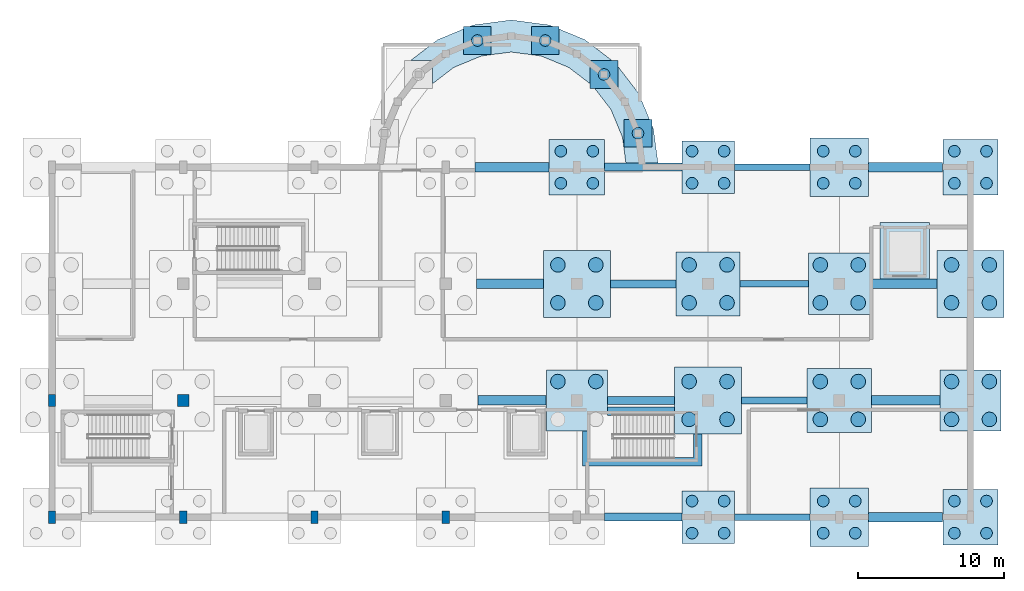
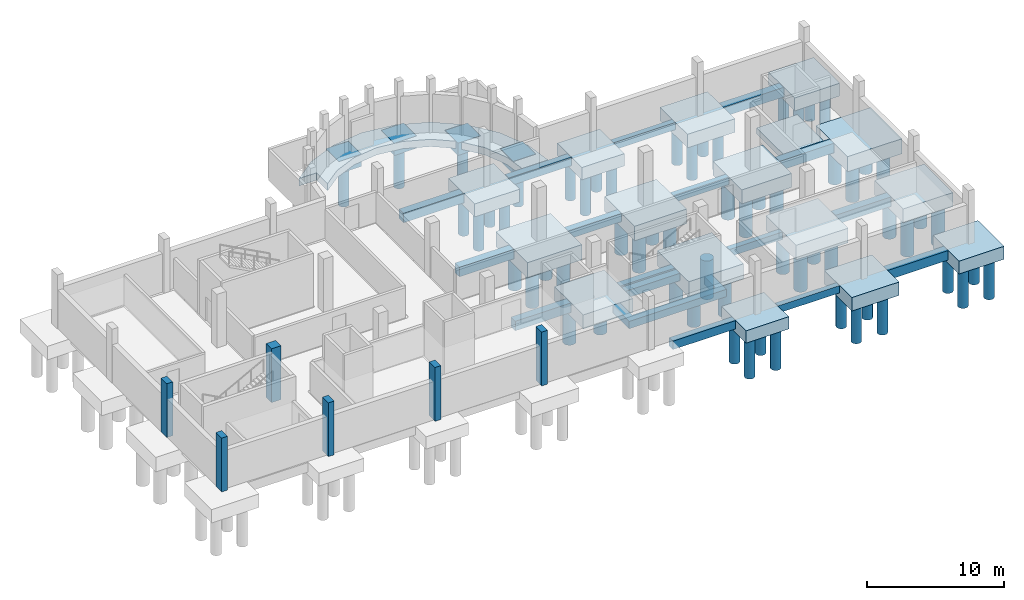
# One storey, part 2 of 10: 62 piles, 39 footings, 6 columns.
"""IFC4 building model written with IfcOpenShell, lengths in metres."""

from ifc_helpers import new_model, si_unit, direction, frame, origin, origin_2d, place, context, subcontext, project, spatial, polyline, rectangle, circle, outline, extrude, material, material_profile, profile_set, type_object, element, save


model = new_model("IFC4")

# Units and contexts
model_context = context("Model", 3, precision=1e-05, world=origin(), true_north=direction((0.0, 1.0)))
body_context = subcontext(model_context, "Body", "Model", "MODEL_VIEW")
ifc_project = project(units=[si_unit("LENGTHUNIT", "METRE"), si_unit("AREAUNIT", "SQUARE_METRE"), si_unit("VOLUMEUNIT", "CUBIC_METRE"), si_unit("PLANEANGLEUNIT", "RADIAN"), si_unit("MASSUNIT", "GRAM", prefix="KILO")], contexts=[model_context])

# Site, building, storey
site_placement = place(None, origin())
site = spatial("IfcSite", under=ifc_project, at=site_placement, CompositionType="ELEMENT")
building_placement = place(site_placement, origin())
building = spatial("IfcBuilding", under=site, at=building_placement, Name="Serraforn Aerial Cableway Station", CompositionType="ELEMENT")
storey_placement = place(building_placement, frame((0.0, 0.0, -4.800048828125)))
storey = spatial("IfcBuildingStorey", under=building, at=storey_placement, Name="B1", CompositionType="ELEMENT", Elevation=-4.800048828125)

# Footings
ifc_material_1 = material(Name="Concrete C35/45", Category="concrete")
footing_type_1 = type_object("IfcFootingType", Name="FT-FB-450x650", PredefinedType="FOOTING_BEAM", material=ifc_material_1)
footing_1_placement = place(storey_placement, frame((0.0, 0.0, -0.64990234375)))
element("IfcFooting", 1, at=footing_1_placement, inside=storey, type_object=footing_type_1, Name="Footing Tie Beam CV Y=18.0 #6", PredefinedType="FOOTING_BEAM", context=body_context, shape_type="SweptSolid", body=[
    extrude(outline(polyline([(79.594970703125, 18.22509765625), (79.594970703125, 17.77490234375), (74.405029296875, 17.77490234375), (74.405029296875, 18.22509765625), (79.594970703125, 18.22509765625)])), origin(), (0.0, 0.0, 1.0), 0.64990234375),
])
footing_2_placement = place(storey_placement, frame((0.0, 0.0, -0.64990234375)))
element("IfcFooting", 2, at=footing_2_placement, inside=storey, type_object=footing_type_1, Name="Footing Tie Beam CV Y=26.0 #6", PredefinedType="FOOTING_BEAM", context=body_context, shape_type="SweptSolid", body=[
    extrude(outline(polyline([(79.39501953125, 26.22509765625), (79.39501953125, 25.77490234375), (74.905029296875, 25.77490234375), (74.905029296875, 26.22509765625), (79.39501953125, 26.22509765625)])), origin(), (0.0, 0.0, 1.0), 0.64990234375),
])
footing_3_placement = place(storey_placement, frame((0.0, 0.0, -0.64990234375)))
element("IfcFooting", 3, at=footing_3_placement, inside=storey, type_object=footing_type_1, Name="Footing Tie Beam CV Y=34.0 #6", PredefinedType="FOOTING_BEAM", context=body_context, shape_type="SweptSolid", body=[
    extrude(outline(polyline([(79.4951171875, 34.22509765625), (79.4951171875, 33.77490234375), (74.804931640625, 33.77490234375), (74.804931640625, 34.22509765625), (79.4951171875, 34.22509765625)])), origin(), (0.0, 0.0, 1.0), 0.64990234375),
])
footing_4_placement = place(storey_placement, frame((0.0, 0.0, -0.64990234375)))
element("IfcFooting", 4, at=footing_4_placement, inside=storey, type_object=footing_type_1, Name="Footing Tie Beam CV Y=42.0 #6", PredefinedType="FOOTING_BEAM", context=body_context, shape_type="SweptSolid", body=[
    extrude(outline(polyline([(79.594970703125, 42.22509765625), (79.594970703125, 41.77490234375), (74.405029296875, 41.77490234375), (74.405029296875, 42.22509765625), (79.594970703125, 42.22509765625)])), origin(), (0.0, 0.0, 1.0), 0.64990234375),
])
footing_type_2 = type_object("IfcFootingType", Name="FT-FB-550x750", PredefinedType="FOOTING_BEAM", material=ifc_material_1)
footing_5_placement = place(storey_placement, frame((0.0, 0.0, -0.75)))
element("IfcFooting", 5, at=footing_5_placement, inside=storey, type_object=footing_type_2, Name="Footing Tie Beam CV Y=18.0 #5", PredefinedType="FOOTING_BEAM", context=body_context, shape_type="SweptSolid", body=[
    extrude(outline(polyline([(70.794921875, 18.27490234375), (70.794921875, 17.72509765625), (65.5048828125, 17.72509765625), (65.5048828125, 18.27490234375), (70.794921875, 18.27490234375)])), origin(), (0.0, 0.0, 1.0), 0.75),
])
footing_6_placement = place(storey_placement, frame((0.0, 0.0, -0.75)))
element("IfcFooting", 6, at=footing_6_placement, inside=storey, type_object=footing_type_2, Name="Footing Tie Beam CV Y=26.0 #5", PredefinedType="FOOTING_BEAM", context=body_context, shape_type="SweptSolid", body=[
    extrude(outline(polyline([(70.294921875, 26.27490234375), (70.294921875, 25.72509765625), (65.705078125, 25.72509765625), (65.705078125, 26.27490234375), (70.294921875, 26.27490234375)])), origin(), (0.0, 0.0, 1.0), 0.75),
])
footing_7_placement = place(storey_placement, frame((0.0, 0.0, -0.75)))
element("IfcFooting", 7, at=footing_7_placement, inside=storey, type_object=footing_type_2, Name="Footing Tie Beam CV Y=34.0 #5", PredefinedType="FOOTING_BEAM", context=body_context, shape_type="SweptSolid", body=[
    extrude(outline(polyline([(70.39501953125, 34.27490234375), (70.39501953125, 33.72509765625), (65.905029296875, 33.72509765625), (65.905029296875, 34.27490234375), (70.39501953125, 34.27490234375)])), origin(), (0.0, 0.0, 1.0), 0.75),
])
footing_8_placement = place(storey_placement, frame((0.0, 0.0, -0.75)))
element("IfcFooting", 8, at=footing_8_placement, inside=storey, type_object=footing_type_2, Name="Footing Tie Beam CV Y=42.0 #5", PredefinedType="FOOTING_BEAM", context=body_context, shape_type="SweptSolid", body=[
    extrude(outline(polyline([(70.794921875, 42.27490234375), (70.794921875, 41.72509765625), (65.5048828125, 41.72509765625), (65.5048828125, 42.27490234375), (70.794921875, 42.27490234375)])), origin(), (0.0, 0.0, 1.0), 0.75),
])
footing_type_3 = type_object("IfcFootingType", Name="FT-FB-650x850", PredefinedType="FOOTING_BEAM", material=ifc_material_1)
footing_9_placement = place(storey_placement, frame((0.0, 0.0, -0.849853515625)))
element("IfcFooting", 9, at=footing_9_placement, inside=storey, type_object=footing_type_3, Name="Footing Tie Beam CV Y=18.0 #7", PredefinedType="FOOTING_BEAM", context=body_context, shape_type="SweptSolid", body=[
    extrude(outline(polyline([(88.695068359375, 18.324951171875), (88.695068359375, 17.675048828125), (83.60498046875, 17.675048828125), (83.60498046875, 18.324951171875), (88.695068359375, 18.324951171875)])), origin(), (0.0, 0.0, 1.0), 0.849853515625),
])
footing_10_placement = place(storey_placement, frame((0.0, 0.0, -0.849853515625)))
element("IfcFooting", 10, at=footing_10_placement, inside=storey, type_object=footing_type_3, Name="Footing Tie Beam CV Y=26.0 #4", PredefinedType="FOOTING_BEAM", context=body_context, shape_type="SweptSolid", body=[
    extrude(outline(polyline([(61.4951171875, 26.324951171875), (61.4951171875, 25.675048828125), (56.804931640625, 25.675048828125), (56.804931640625, 26.324951171875), (61.4951171875, 26.324951171875)])), origin(), (0.0, 0.0, 1.0), 0.849853515625),
])
footing_11_placement = place(storey_placement, frame((0.0, 0.0, -0.849853515625)))
element("IfcFooting", 11, at=footing_11_placement, inside=storey, type_object=footing_type_3, Name="Footing Tie Beam CV Y=26.0 #7", PredefinedType="FOOTING_BEAM", context=body_context, shape_type="SweptSolid", body=[
    extrude(outline(polyline([(88.4951171875, 26.324951171875), (88.4951171875, 25.675048828125), (83.804931640625, 25.675048828125), (83.804931640625, 26.324951171875), (88.4951171875, 26.324951171875)])), origin(), (0.0, 0.0, 1.0), 0.849853515625),
])
footing_12_placement = place(storey_placement, frame((0.0, 0.0, -0.849853515625)))
element("IfcFooting", 12, at=footing_12_placement, inside=storey, type_object=footing_type_3, Name="Footing Tie Beam CV Y=34.0 #4", PredefinedType="FOOTING_BEAM", context=body_context, shape_type="SweptSolid", body=[
    extrude(outline(polyline([(61.294921875, 34.324951171875), (61.294921875, 33.675048828125), (56.705078125, 33.675048828125), (56.705078125, 34.324951171875), (61.294921875, 34.324951171875)])), origin(), (0.0, 0.0, 1.0), 0.849853515625),
])
footing_13_placement = place(storey_placement, frame((0.0, 0.0, -0.849853515625)))
element("IfcFooting", 13, at=footing_13_placement, inside=storey, type_object=footing_type_3, Name="Footing Tie Beam CV Y=34.0 #7", PredefinedType="FOOTING_BEAM", context=body_context, shape_type="SweptSolid", body=[
    extrude(outline(polyline([(88.294921875, 34.324951171875), (88.294921875, 33.675048828125), (83.705078125, 33.675048828125), (83.705078125, 34.324951171875), (88.294921875, 34.324951171875)])), origin(), (0.0, 0.0, 1.0), 0.849853515625),
])
footing_14_placement = place(storey_placement, frame((0.0, 0.0, -0.849853515625)))
element("IfcFooting", 14, at=footing_14_placement, inside=storey, type_object=footing_type_3, Name="Footing Tie Beam CV Y=42.0 #4", PredefinedType="FOOTING_BEAM", context=body_context, shape_type="SweptSolid", body=[
    extrude(outline(polyline([(61.695068359375, 42.324951171875), (61.695068359375, 41.675048828125), (56.60498046875, 41.675048828125), (56.60498046875, 42.324951171875), (61.695068359375, 42.324951171875)])), origin(), (0.0, 0.0, 1.0), 0.849853515625),
])
footing_15_placement = place(storey_placement, frame((0.0, 0.0, -0.849853515625)))
element("IfcFooting", 15, at=footing_15_placement, inside=storey, type_object=footing_type_3, Name="Footing Tie Beam CV Y=42.0 #7", PredefinedType="FOOTING_BEAM", context=body_context, shape_type="SweptSolid", body=[
    extrude(outline(polyline([(88.695068359375, 42.324951171875), (88.695068359375, 41.675048828125), (83.60498046875, 41.675048828125), (83.60498046875, 42.324951171875), (88.695068359375, 42.324951171875)])), origin(), (0.0, 0.0, 1.0), 0.849853515625),
])
footing_type_4 = type_object("IfcFootingType", Name="FT-PC1-190", PredefinedType="PILE_CAP", material=ifc_material_1)
for number, where, z_axis, x_axis, name in (
    (16, (56.7705078125, 50.693359375, -1.10009765625), (0.0, 0.0, 1.0), (1.0, 0.0, 0.0), "Apse Radial Pile Cap 5"),
    (17, (61.429443359375, 50.693359375, -1.10009765625), (0.0, 0.0, 1.0), (1.0, 0.0, 0.0), "Apse Radial Pile Cap 7"),
    (18, (65.464111328125, 48.364013671875, -1.10009765625), (0.0, 0.0, 1.0), (1.0, 0.0, 0.0), "Apse Radial Pile Cap 9"),
    (19, (67.793212890625, 44.329345703125, -1.10009765625), (0.0, 0.0, 1.0), (1.0, 0.0, 0.0), "Apse Radial Pile Cap 11"),
):
    element("IfcFooting", number, at=place(storey_placement, frame(where, z_axis=z_axis, x_axis=x_axis)), inside=storey, type_object=footing_type_4, Name=name, PredefinedType="PILE_CAP", context=body_context, shape_type="SweptSolid", body=[
        extrude(rectangle(XDim=1.89990234375, YDim=1.89990234375, at=origin_2d()), origin(), (0.0, 0.0, 1.0), 1.10009765625),
    ])
footing_type_5 = type_object("IfcFootingType", Name="FT-PC4-360", PredefinedType="PILE_CAP", material=ifc_material_1)
for number, where, z_axis, x_axis, name in (
    (20, (72.60009765625, 18.0, -1.10009765625), (0.0, 0.0, 1.0), (1.0, 0.0, 0.0), "Pile Cap CV-10-C"),
    (21, (72.60009765625, 42.0, -1.10009765625), (0.0, 0.0, 1.0), (1.0, 0.0, 0.0), "Pile Cap CV-10-F"),
):
    element("IfcFooting", number, at=place(storey_placement, frame(where, z_axis=z_axis, x_axis=x_axis)), inside=storey, type_object=footing_type_5, Name=name, PredefinedType="PILE_CAP", context=body_context, shape_type="SweptSolid", body=[
        extrude(rectangle(XDim=3.60009765625, YDim=3.60009765625, at=origin_2d()), origin(), (0.0, 0.0, 1.0), 1.10009765625),
    ])
footing_type_6 = type_object("IfcFootingType", Name="FT-PC4-380", PredefinedType="PILE_CAP", material=ifc_material_1)
for number, where, z_axis, x_axis, name in (
    (22, (63.60009765625, 42.0, -1.14990234375), (0.0, 0.0, 1.0), (1.0, 0.0, 0.0), "Pile Cap CV-9-F"),
    (23, (90.60009765625, 18.0, -1.14990234375), (0.0, 0.0, 1.0), (1.0, 0.0, 0.0), "Pile Cap CV-12-C"),
    (24, (90.60009765625, 42.0, -1.14990234375), (0.0, 0.0, 1.0), (1.0, 0.0, 0.0), "Pile Cap CV-12-F"),
):
    element("IfcFooting", number, at=place(storey_placement, frame(where, z_axis=z_axis, x_axis=x_axis)), inside=storey, type_object=footing_type_6, Name=name, PredefinedType="PILE_CAP", context=body_context, shape_type="SweptSolid", body=[
        extrude(rectangle(XDim=3.800048828125, YDim=3.800048828125, at=origin_2d()), origin(), (0.0, 0.0, 1.0), 1.14990234375),
    ])
footing_type_7 = type_object("IfcFootingType", Name="FT-PC4-400", PredefinedType="PILE_CAP", material=ifc_material_1)
for number, where, z_axis, x_axis, name in (
    (25, (81.60009765625, 18.0, -1.19970703125), (0.0, 0.0, 1.0), (1.0, 0.0, 0.0), "Pile Cap CV-11-C"),
    (26, (81.60009765625, 42.0, -1.19970703125), (0.0, 0.0, 1.0), (1.0, 0.0, 0.0), "Pile Cap CV-11-F"),
):
    element("IfcFooting", number, at=place(storey_placement, frame(where, z_axis=z_axis, x_axis=x_axis)), inside=storey, type_object=footing_type_7, Name=name, PredefinedType="PILE_CAP", context=body_context, shape_type="SweptSolid", body=[
        extrude(rectangle(XDim=4.0, YDim=4.0, at=origin_2d()), origin(), (0.0, 0.0, 1.0), 1.199951171875),
    ])
ifc_material_2 = material(Name="Concrete C40/50", Category="concrete")
footing_type_8 = type_object("IfcFootingType", Name="FT-PC4-420", PredefinedType="PILE_CAP", material=ifc_material_2)
for number, where, z_axis, x_axis, name in (
    (27, (63.60009765625, 26.0, -1.25), (0.0, 0.0, 1.0), (1.0, 0.0, 0.0), "Pile Cap CV-9-D1"),
    (28, (81.60009765625, 34.0, -1.25), (0.0, 0.0, 1.0), (1.0, 0.0, 0.0), "Pile Cap CV-11-D2"),
    (29, (90.60009765625, 26.0, -1.25), (0.0, 0.0, 1.0), (1.0, 0.0, 0.0), "Pile Cap CV-12-D1"),
):
    element("IfcFooting", number, at=place(storey_placement, frame(where, z_axis=z_axis, x_axis=x_axis)), inside=storey, type_object=footing_type_8, Name=name, PredefinedType="PILE_CAP", context=body_context, shape_type="SweptSolid", body=[
        extrude(rectangle(XDim=4.199951171875, YDim=4.199951171875, at=origin_2d()), origin(), (0.0, 0.0, 1.0), 1.25),
    ])
footing_type_9 = type_object("IfcFootingType", Name="FT-PC4-440", PredefinedType="PILE_CAP", material=ifc_material_2)
for number, where, z_axis, x_axis, name in (
    (30, (72.60009765625, 34.0, -1.2998046875), (0.0, 0.0, 1.0), (1.0, 0.0, 0.0), "Pile Cap CV-10-D2"),
    (31, (81.60009765625, 26.0, -1.2998046875), (0.0, 0.0, 1.0), (1.0, 0.0, 0.0), "Pile Cap CV-11-D1"),
):
    element("IfcFooting", number, at=place(storey_placement, frame(where, z_axis=z_axis, x_axis=x_axis)), inside=storey, type_object=footing_type_9, Name=name, PredefinedType="PILE_CAP", context=body_context, shape_type="SweptSolid", body=[
        extrude(rectangle(XDim=4.39990234375, YDim=4.39990234375, at=origin_2d()), origin(), (0.0, 0.0, 1.0), 1.300048828125),
    ])
footing_type_10 = type_object("IfcFootingType", Name="FT-PC4-460", PredefinedType="PILE_CAP", material=ifc_material_2)
for number, where, z_axis, x_axis, name in (
    (32, (63.60009765625, 34.0, -1.35009765625), (0.0, 0.0, 1.0), (1.0, 0.0, 0.0), "Pile Cap CV-9-D2"),
    (33, (72.60009765625, 26.0, -1.35009765625), (0.0, 0.0, 1.0), (1.0, 0.0, 0.0), "Pile Cap CV-10-D1"),
    (34, (90.60009765625, 34.0, -1.35009765625), (0.0, 0.0, 1.0), (1.0, 0.0, 0.0), "Pile Cap CV-12-D2"),
):
    element("IfcFooting", number, at=place(storey_placement, frame(where, z_axis=z_axis, x_axis=x_axis)), inside=storey, type_object=footing_type_10, Name=name, PredefinedType="PILE_CAP", context=body_context, shape_type="SweptSolid", body=[
        extrude(rectangle(XDim=4.60009765625, YDim=4.60009765625, at=origin_2d()), origin(), (0.0, 0.0, 1.0), 1.35009765625),
    ])
footing_type_11 = type_object("IfcFootingType", Name="FT-SF-750x550", PredefinedType="STRIP_FOOTING", material=ifc_material_1)
footing_16_placement = place(storey_placement, frame((0.0, 0.0, -0.550048828125)))
element("IfcFooting", 35, at=footing_16_placement, inside=storey, type_object=footing_type_11, Name="Lift Pit Foundation Mat LF-05", PredefinedType="STRIP_FOOTING", context=body_context, shape_type="SweptSolid", body=[
    extrude(outline(polyline([(84.39990234375, 38.199951171875), (87.800048828125, 38.199951171875), (87.800048828125, 34.330078125), (84.39990234375, 34.330078125), (84.39990234375, 38.199951171875)])), origin(), (0.0, 0.0, 1.0), 0.550048828125),
])
footing_type_12 = type_object("IfcFootingType", Name="FT-SF-900x650", PredefinedType="STRIP_FOOTING", material=ifc_material_1)
footing_17_placement = place(storey_placement, frame((0.0, 0.0, -0.64990234375)))
element("IfcFooting", 36, at=footing_17_placement, inside=storey, type_object=footing_type_12, Name="Apse Semicircular Ring Footing Seg 2", PredefinedType="STRIP_FOOTING", context=body_context, shape_type="SweptSolid", body=[
    extrude(outline(polyline([(54.050048828125, 50.746826171875), (55.815673828125, 51.478271484375), (55.815673828125, 49.73828125), (57.7255859375, 49.73828125), (57.7255859375, 51.648193359375), (56.226318359375, 51.648193359375), (56.48583984375, 51.755859375), (59.10009765625, 52.10009765625), (61.714111328125, 51.755859375), (61.9736328125, 51.648193359375), (60.474365234375, 51.648193359375), (60.474365234375, 49.73828125), (62.384521484375, 49.73828125), (62.384521484375, 51.478271484375), (64.14990234375, 50.746826171875), (66.0107421875, 49.319091796875), (64.509033203125, 49.319091796875), (64.509033203125, 47.72216796875), (63.050048828125, 48.841552734375), (61.144775390625, 49.630859375), (59.10009765625, 49.89990234375), (57.055419921875, 49.630859375), (55.14990234375, 48.841552734375), (53.69091796875, 47.72216796875), (53.69091796875, 49.319091796875), (52.189208984375, 49.319091796875), (54.050048828125, 50.746826171875)])), origin(), (0.0, 0.0, 1.0), 0.64990234375),
])
footing_18_placement = place(storey_placement, frame((0.0, 0.0, -0.64990234375)))
element("IfcFooting", 37, at=footing_18_placement, inside=storey, type_object=footing_type_12, Name="Apse Semicircular Ring Footing Seg 3", PredefinedType="STRIP_FOOTING", context=body_context, shape_type="SweptSolid", body=[
    extrude(outline(polyline([(67.846923828125, 47.050048828125), (68.578125, 45.284423828125), (66.83837890625, 45.284423828125), (66.83837890625, 43.37451171875), (68.748291015625, 43.37451171875), (68.748291015625, 44.873779296875), (68.85595703125, 44.614013671875), (69.1630859375, 42.280029296875), (66.963134765625, 42.280029296875), (66.730712890625, 44.044677734375), (65.941650390625, 45.949951171875), (64.822021484375, 47.408935546875), (66.4189453125, 47.408935546875), (66.4189453125, 48.910888671875), (67.846923828125, 47.050048828125)])), origin(), (0.0, 0.0, 1.0), 0.64990234375),
])
footing_19_placement = place(storey_placement, frame((0.0, 0.0, -0.64990234375)))
element("IfcFooting", 38, at=footing_19_placement, inside=storey, type_object=footing_type_12, Name="Stair Core Strip Footing ST-05", PredefinedType="STRIP_FOOTING", context=body_context, shape_type="SweptSolid", body=[
    extrude(outline(polyline([(70.294921875, 25.56005859375), (70.294921875, 24.9599609375), (65.705078125, 24.9599609375), (65.705078125, 25.56005859375), (70.294921875, 25.56005859375)])), origin(), (0.0, 0.0, 1.0), 0.64990234375),
])
footing_20_placement = place(storey_placement, frame((0.0, 0.0, -0.64990234375)))
element("IfcFooting", 39, at=footing_20_placement, inside=storey, type_object=footing_type_12, Name="Stair Core Strip Footing ST-05 Seg 2", PredefinedType="STRIP_FOOTING", context=body_context, shape_type="SweptSolid", body=[
    extrude(outline(polyline([(72.199951171875, 21.5), (64.0, 21.5), (64.0, 23.89501953125), (64.60009765625, 23.89501953125), (64.60009765625, 22.10009765625), (71.60009765625, 22.10009765625), (71.60009765625, 23.695068359375), (72.199951171875, 23.695068359375), (72.199951171875, 21.5)])), origin(), (0.0, 0.0, 1.0), 0.64990234375),
])

# Piles
ifc_material_profile_1 = material_profile(ifc_material_1, circle(Radius=0.5, at=origin_2d()), Name="BORED PILE D1000")
ifc_profile_set_1 = profile_set([ifc_material_profile_1], Name="Concrete C35/45")
pile_type_1 = type_object("IfcPileType", Name="PL-BORED-1000", PredefinedType="BORED", material=ifc_profile_set_1)
for number, where, z_axis, x_axis, name in (
    (40, (62.300048828125, 27.300048828125, -1.14990234375), (0.0, 0.0, -1.0), (1.0, 0.0, 0.0), "Bored Pile CV-9-D1-3"),
    (41, (64.89990234375, 27.300048828125, -1.14990234375), (0.0, 0.0, -1.0), (1.0, 0.0, 0.0), "Bored Pile CV-9-D1-4"),
):
    element("IfcPile", number, at=place(storey_placement, frame(where, z_axis=z_axis, x_axis=x_axis)), inside=storey, type_object=pile_type_1, Name=name, PredefinedType="BORED", context=body_context, shape_type="SweptSolid", body=[
        extrude(circle(Radius=0.5, at=origin_2d()), origin(), (0.0, 0.0, 1.0), 3.550048828125),
    ])
for number, where, z_axis, x_axis, name in (
    (42, (62.300048828125, 32.699951171875, -1.25), (0.0, 0.0, -1.0), (1.0, 0.0, 0.0), "Bored Pile CV-9-D2-1"),
    (43, (64.89990234375, 32.699951171875, -1.25), (0.0, 0.0, -1.0), (1.0, 0.0, 0.0), "Bored Pile CV-9-D2-2"),
    (44, (62.300048828125, 35.300048828125, -1.25), (0.0, 0.0, -1.0), (1.0, 0.0, 0.0), "Bored Pile CV-9-D2-3"),
    (45, (64.89990234375, 35.300048828125, -1.25), (0.0, 0.0, -1.0), (1.0, 0.0, 0.0), "Bored Pile CV-9-D2-4"),
    (46, (71.300048828125, 24.699951171875, -1.25), (0.0, 0.0, -1.0), (1.0, 0.0, 0.0), "Bored Pile CV-10-D1-1"),
    (47, (73.89990234375, 24.699951171875, -1.25), (0.0, 0.0, -1.0), (1.0, 0.0, 0.0), "Bored Pile CV-10-D1-2"),
    (48, (71.300048828125, 27.300048828125, -1.25), (0.0, 0.0, -1.0), (1.0, 0.0, 0.0), "Bored Pile CV-10-D1-3"),
    (49, (73.89990234375, 27.300048828125, -1.25), (0.0, 0.0, -1.0), (1.0, 0.0, 0.0), "Bored Pile CV-10-D1-4"),
):
    element("IfcPile", number, at=place(storey_placement, frame(where, z_axis=z_axis, x_axis=x_axis)), inside=storey, type_object=pile_type_1, Name=name, PredefinedType="BORED", context=body_context, shape_type="SweptSolid", body=[
        extrude(circle(Radius=0.5, at=origin_2d()), origin(), (0.0, 0.0, 1.0), 3.449951171875),
    ])
for number, where, z_axis, x_axis, name in (
    (50, (71.300048828125, 32.699951171875, -1.199951171875), (0.0, 0.0, -1.0), (1.0, 0.0, 0.0), "Bored Pile CV-10-D2-1"),
    (51, (73.89990234375, 32.699951171875, -1.199951171875), (0.0, 0.0, -1.0), (1.0, 0.0, 0.0), "Bored Pile CV-10-D2-2"),
    (52, (71.300048828125, 35.300048828125, -1.199951171875), (0.0, 0.0, -1.0), (1.0, 0.0, 0.0), "Bored Pile CV-10-D2-3"),
    (53, (73.89990234375, 35.300048828125, -1.199951171875), (0.0, 0.0, -1.0), (1.0, 0.0, 0.0), "Bored Pile CV-10-D2-4"),
    (54, (80.300048828125, 24.699951171875, -1.199951171875), (0.0, 0.0, -1.0), (1.0, 0.0, 0.0), "Bored Pile CV-11-D1-1"),
    (55, (82.89990234375, 24.699951171875, -1.199951171875), (0.0, 0.0, -1.0), (1.0, 0.0, 0.0), "Bored Pile CV-11-D1-2"),
    (56, (80.300048828125, 27.300048828125, -1.199951171875), (0.0, 0.0, -1.0), (1.0, 0.0, 0.0), "Bored Pile CV-11-D1-3"),
    (57, (82.89990234375, 27.300048828125, -1.199951171875), (0.0, 0.0, -1.0), (1.0, 0.0, 0.0), "Bored Pile CV-11-D1-4"),
):
    element("IfcPile", number, at=place(storey_placement, frame(where, z_axis=z_axis, x_axis=x_axis)), inside=storey, type_object=pile_type_1, Name=name, PredefinedType="BORED", context=body_context, shape_type="SweptSolid", body=[
        extrude(circle(Radius=0.5, at=origin_2d()), origin(), (0.0, 0.0, 1.0), 3.5),
    ])
for number, where, z_axis, x_axis, name in (
    (58, (80.300048828125, 32.699951171875, -1.14990234375), (0.0, 0.0, -1.0), (1.0, 0.0, 0.0), "Bored Pile CV-11-D2-1"),
    (59, (82.89990234375, 32.699951171875, -1.14990234375), (0.0, 0.0, -1.0), (1.0, 0.0, 0.0), "Bored Pile CV-11-D2-2"),
    (60, (80.300048828125, 35.300048828125, -1.14990234375), (0.0, 0.0, -1.0), (1.0, 0.0, 0.0), "Bored Pile CV-11-D2-3"),
    (61, (82.89990234375, 35.300048828125, -1.14990234375), (0.0, 0.0, -1.0), (1.0, 0.0, 0.0), "Bored Pile CV-11-D2-4"),
    (62, (89.300048828125, 24.699951171875, -1.14990234375), (0.0, 0.0, -1.0), (1.0, 0.0, 0.0), "Bored Pile CV-12-D1-1"),
    (63, (91.89990234375, 24.699951171875, -1.14990234375), (0.0, 0.0, -1.0), (1.0, 0.0, 0.0), "Bored Pile CV-12-D1-2"),
    (64, (89.300048828125, 27.300048828125, -1.14990234375), (0.0, 0.0, -1.0), (1.0, 0.0, 0.0), "Bored Pile CV-12-D1-3"),
    (65, (91.89990234375, 27.300048828125, -1.14990234375), (0.0, 0.0, -1.0), (1.0, 0.0, 0.0), "Bored Pile CV-12-D1-4"),
):
    element("IfcPile", number, at=place(storey_placement, frame(where, z_axis=z_axis, x_axis=x_axis)), inside=storey, type_object=pile_type_1, Name=name, PredefinedType="BORED", context=body_context, shape_type="SweptSolid", body=[
        extrude(circle(Radius=0.5, at=origin_2d()), origin(), (0.0, 0.0, 1.0), 3.550048828125),
    ])
for number, where, z_axis, x_axis, name in (
    (66, (89.300048828125, 32.699951171875, -1.25), (0.0, 0.0, -1.0), (1.0, 0.0, 0.0), "Bored Pile CV-12-D2-1"),
    (67, (91.89990234375, 32.699951171875, -1.25), (0.0, 0.0, -1.0), (1.0, 0.0, 0.0), "Bored Pile CV-12-D2-2"),
    (68, (89.300048828125, 35.300048828125, -1.25), (0.0, 0.0, -1.0), (1.0, 0.0, 0.0), "Bored Pile CV-12-D2-3"),
    (69, (91.89990234375, 35.300048828125, -1.25), (0.0, 0.0, -1.0), (1.0, 0.0, 0.0), "Bored Pile CV-12-D2-4"),
):
    element("IfcPile", number, at=place(storey_placement, frame(where, z_axis=z_axis, x_axis=x_axis)), inside=storey, type_object=pile_type_1, Name=name, PredefinedType="BORED", context=body_context, shape_type="SweptSolid", body=[
        extrude(circle(Radius=0.5, at=origin_2d()), origin(), (0.0, 0.0, 1.0), 3.449951171875),
    ])
ifc_material_profile_2 = material_profile(ifc_material_1, circle(Radius=0.39990234375, at=origin_2d()), Name="BORED PILE D800")
ifc_profile_set_2 = profile_set([ifc_material_profile_2], Name="Concrete C35/45")
pile_type_2 = type_object("IfcPileType", Name="PL-BORED-800A", PredefinedType="BORED", material=ifc_profile_set_2)
for number, where, z_axis, x_axis, name in (
    (70, (62.5, 40.89990234375, -1.050048828125), (0.0, 0.0, -1.0), (1.0, 0.0, 0.0), "Bored Pile CV-9-F-1"),
    (71, (64.699951171875, 40.89990234375, -1.050048828125), (0.0, 0.0, -1.0), (1.0, 0.0, 0.0), "Bored Pile CV-9-F-2"),
    (72, (62.5, 43.10009765625, -1.050048828125), (0.0, 0.0, -1.0), (1.0, 0.0, 0.0), "Bored Pile CV-9-F-3"),
    (73, (64.699951171875, 43.10009765625, -1.050048828125), (0.0, 0.0, -1.0), (1.0, 0.0, 0.0), "Bored Pile CV-9-F-4"),
    (74, (89.5, 16.89990234375, -1.050048828125), (0.0, 0.0, -1.0), (1.0, 0.0, 0.0), "Bored Pile CV-12-C-1"),
    (75, (91.699951171875, 16.89990234375, -1.050048828125), (0.0, 0.0, -1.0), (1.0, 0.0, 0.0), "Bored Pile CV-12-C-2"),
    (76, (89.5, 19.10009765625, -1.050048828125), (0.0, 0.0, -1.0), (1.0, 0.0, 0.0), "Bored Pile CV-12-C-3"),
    (77, (91.699951171875, 19.10009765625, -1.050048828125), (0.0, 0.0, -1.0), (1.0, 0.0, 0.0), "Bored Pile CV-12-C-4"),
):
    element("IfcPile", number, at=place(storey_placement, frame(where, z_axis=z_axis, x_axis=x_axis)), inside=storey, type_object=pile_type_2, Name=name, PredefinedType="BORED", context=body_context, shape_type="SweptSolid", body=[
        extrude(circle(Radius=0.39990234375, at=origin_2d()), origin(), (0.0, 0.0, 1.0), 3.64990234375),
    ])
ifc_material_profile_3 = material_profile(ifc_material_1, circle(Radius=0.39990234375, at=origin_2d()), Name="BORED PILE D800")
ifc_profile_set_3 = profile_set([ifc_material_profile_3], Name="Concrete C35/45")
pile_type_3 = type_object("IfcPileType", Name="PL-BORED-800B", PredefinedType="BORED", material=ifc_profile_set_3)
for number, where, z_axis, x_axis, name in (
    (78, (71.5, 40.89990234375, -1.0), (0.0, 0.0, -1.0), (1.0, 0.0, 0.0), "Bored Pile CV-10-F-1"),
    (79, (73.699951171875, 40.89990234375, -1.0), (0.0, 0.0, -1.0), (1.0, 0.0, 0.0), "Bored Pile CV-10-F-2"),
    (80, (71.5, 43.10009765625, -1.0), (0.0, 0.0, -1.0), (1.0, 0.0, 0.0), "Bored Pile CV-10-F-3"),
    (81, (73.699951171875, 43.10009765625, -1.0), (0.0, 0.0, -1.0), (1.0, 0.0, 0.0), "Bored Pile CV-10-F-4"),
    (82, (56.7705078125, 50.693359375, -1.0), (0.0, 0.0, -1.0), (1.0, 0.0, 0.0), "Apse Bored Pile 5"),
    (83, (65.464111328125, 48.364013671875, -1.0), (0.0, 0.0, -1.0), (1.0, 0.0, 0.0), "Apse Bored Pile 9"),
):
    element("IfcPile", number, at=place(storey_placement, frame(where, z_axis=z_axis, x_axis=x_axis)), inside=storey, type_object=pile_type_3, Name=name, PredefinedType="BORED", context=body_context, shape_type="SweptSolid", body=[
        extrude(circle(Radius=0.39990234375, at=origin_2d()), origin(), (0.0, 0.0, 1.0), 3.699951171875),
    ])
ifc_material_profile_4 = material_profile(ifc_material_1, circle(Radius=0.39990234375, at=origin_2d()), Name="BORED PILE D800")
ifc_profile_set_4 = profile_set([ifc_material_profile_4], Name="Concrete C35/45")
pile_type_4 = type_object("IfcPileType", Name="PL-BORED-800C", PredefinedType="BORED", material=ifc_profile_set_4)
for number, where, z_axis, x_axis, name in (
    (84, (71.5, 16.89990234375, -1.0), (0.0, 0.0, -1.0), (1.0, 0.0, 0.0), "Bored Pile CV-10-C-1"),
    (85, (73.699951171875, 16.89990234375, -1.0), (0.0, 0.0, -1.0), (1.0, 0.0, 0.0), "Bored Pile CV-10-C-2"),
    (86, (71.5, 19.10009765625, -1.0), (0.0, 0.0, -1.0), (1.0, 0.0, 0.0), "Bored Pile CV-10-C-3"),
    (87, (73.699951171875, 19.10009765625, -1.0), (0.0, 0.0, -1.0), (1.0, 0.0, 0.0), "Bored Pile CV-10-C-4"),
):
    element("IfcPile", number, at=place(storey_placement, frame(where, z_axis=z_axis, x_axis=x_axis)), inside=storey, type_object=pile_type_4, Name=name, PredefinedType="BORED", context=body_context, shape_type="SweptSolid", body=[
        extrude(circle(Radius=0.39990234375, at=origin_2d()), origin(), (0.0, 0.0, 1.0), 3.699951171875),
    ])
for number, where, z_axis, x_axis, name in (
    (88, (80.5, 40.89990234375, -1.099853515625), (0.0, 0.0, -1.0), (1.0, 0.0, 0.0), "Bored Pile CV-11-F-1"),
    (89, (82.699951171875, 40.89990234375, -1.099853515625), (0.0, 0.0, -1.0), (1.0, 0.0, 0.0), "Bored Pile CV-11-F-2"),
    (90, (80.5, 43.10009765625, -1.099853515625), (0.0, 0.0, -1.0), (1.0, 0.0, 0.0), "Bored Pile CV-11-F-3"),
    (91, (82.699951171875, 43.10009765625, -1.099853515625), (0.0, 0.0, -1.0), (1.0, 0.0, 0.0), "Bored Pile CV-11-F-4"),
):
    element("IfcPile", number, at=place(storey_placement, frame(where, z_axis=z_axis, x_axis=x_axis)), inside=storey, type_object=pile_type_4, Name=name, PredefinedType="BORED", context=body_context, shape_type="SweptSolid", body=[
        extrude(circle(Radius=0.39990234375, at=origin_2d()), origin(), (0.0, 0.0, 1.0), 3.60009765625),
    ])
ifc_material_profile_5 = material_profile(ifc_material_1, circle(Radius=0.39990234375, at=origin_2d()), Name="BORED PILE D800")
ifc_profile_set_5 = profile_set([ifc_material_profile_5], Name="Concrete C35/45")
pile_type_5 = type_object("IfcPileType", Name="PL-BORED-800D", PredefinedType="BORED", material=ifc_profile_set_5)
for number, where, z_axis, x_axis, name in (
    (92, (80.5, 16.89990234375, -1.099853515625), (0.0, 0.0, -1.0), (1.0, 0.0, 0.0), "Bored Pile CV-11-C-1"),
    (93, (82.699951171875, 16.89990234375, -1.099853515625), (0.0, 0.0, -1.0), (1.0, 0.0, 0.0), "Bored Pile CV-11-C-2"),
    (94, (80.5, 19.10009765625, -1.099853515625), (0.0, 0.0, -1.0), (1.0, 0.0, 0.0), "Bored Pile CV-11-C-3"),
    (95, (82.699951171875, 19.10009765625, -1.099853515625), (0.0, 0.0, -1.0), (1.0, 0.0, 0.0), "Bored Pile CV-11-C-4"),
):
    element("IfcPile", number, at=place(storey_placement, frame(where, z_axis=z_axis, x_axis=x_axis)), inside=storey, type_object=pile_type_5, Name=name, PredefinedType="BORED", context=body_context, shape_type="SweptSolid", body=[
        extrude(circle(Radius=0.39990234375, at=origin_2d()), origin(), (0.0, 0.0, 1.0), 3.60009765625),
    ])
for number, where, z_axis, x_axis, name in (
    (96, (89.5, 40.89990234375, -1.050048828125), (0.0, 0.0, -1.0), (1.0, 0.0, 0.0), "Bored Pile CV-12-F-1"),
    (97, (91.699951171875, 40.89990234375, -1.050048828125), (0.0, 0.0, -1.0), (1.0, 0.0, 0.0), "Bored Pile CV-12-F-2"),
    (98, (89.5, 43.10009765625, -1.050048828125), (0.0, 0.0, -1.0), (1.0, 0.0, 0.0), "Bored Pile CV-12-F-3"),
    (99, (91.699951171875, 43.10009765625, -1.050048828125), (0.0, 0.0, -1.0), (1.0, 0.0, 0.0), "Bored Pile CV-12-F-4"),
):
    element("IfcPile", number, at=place(storey_placement, frame(where, z_axis=z_axis, x_axis=x_axis)), inside=storey, type_object=pile_type_5, Name=name, PredefinedType="BORED", context=body_context, shape_type="SweptSolid", body=[
        extrude(circle(Radius=0.39990234375, at=origin_2d()), origin(), (0.0, 0.0, 1.0), 3.64990234375),
    ])
for number, where, z_axis, x_axis, name in (
    (100, (61.429443359375, 50.693359375, -1.0), (0.0, 0.0, -1.0), (1.0, 0.0, 0.0), "Apse Bored Pile 7"),
    (101, (67.793212890625, 44.329345703125, -1.0), (0.0, 0.0, -1.0), (1.0, 0.0, 0.0), "Apse Bored Pile 11"),
):
    element("IfcPile", number, at=place(storey_placement, frame(where, z_axis=z_axis, x_axis=x_axis)), inside=storey, type_object=pile_type_5, Name=name, PredefinedType="BORED", context=body_context, shape_type="SweptSolid", body=[
        extrude(circle(Radius=0.39990234375, at=origin_2d()), origin(), (0.0, 0.0, 1.0), 3.699951171875),
    ])

# Columns
ifc_material_profile_6 = material_profile(ifc_material_2, rectangle(XDim=0.5, YDim=0.85009765625, at=origin_2d()), Name="RC 500x850")
ifc_profile_set_6 = profile_set([ifc_material_profile_6], Name="Concrete C40/50")
column_type_1 = type_object("IfcColumnType", Name="COL-RC-500x850", PredefinedType="COLUMN", material=ifc_profile_set_6)
for number, where, z_axis, x_axis, name in (
    (102, (27.60009765625, 18.0, 0.0), (0.0, 0.0, 1.0), (1.0, 0.0, 0.0), "Column CV B1 5-C"),
    (103, (27.60009765625, 26.0, 0.0), (0.0, 0.0, 1.0), (1.0, 0.0, 0.0), "Column CV B1 5-D1"),
    (104, (36.60009765625, 18.0, 0.0), (0.0, 0.0, 1.0), (1.0, 0.0, 0.0), "Column CV B1 6-C"),
    (105, (45.60009765625, 18.0, 0.0), (0.0, 0.0, 1.0), (1.0, 0.0, 0.0), "Column CV B1 7-C"),
    (106, (54.60009765625, 18.0, 0.0), (0.0, 0.0, 1.0), (1.0, 0.0, 0.0), "Column CV B1 8-C"),
):
    element("IfcColumn", number, at=place(storey_placement, frame(where, z_axis=z_axis, x_axis=x_axis)), inside=storey, type_object=column_type_1, Name=name, PredefinedType="COLUMN", context=body_context, shape_type="SweptSolid", body=[
        extrude(rectangle(XDim=0.5, YDim=0.85009765625, at=origin_2d()), origin(), (0.0, 0.0, 1.0), 4.800048828125),
    ])
ifc_material_profile_7 = material_profile(ifc_material_2, rectangle(XDim=0.800048828125, YDim=0.800048828125, at=origin_2d()), Name="RC 800x800")
ifc_profile_set_7 = profile_set([ifc_material_profile_7], Name="Concrete C40/50")
column_type_2 = type_object("IfcColumnType", Name="COL-RC-800", PredefinedType="COLUMN", material=ifc_profile_set_7)
column_placement = place(storey_placement, frame((36.60009765625, 26.0, 0.0), z_axis=(0.0, 0.0, 1.0), x_axis=(1.0, 0.0, 0.0)))
element("IfcColumn", 107, at=column_placement, inside=storey, type_object=column_type_2, Name="Column CV B1 6-D1", PredefinedType="COLUMN", context=body_context, shape_type="SweptSolid", body=[
    extrude(rectangle(XDim=0.800048828125, YDim=0.800048828125, at=origin_2d()), origin(), (0.0, 0.0, 1.0), 4.800048828125),
])

save(model, "model.ifc")
